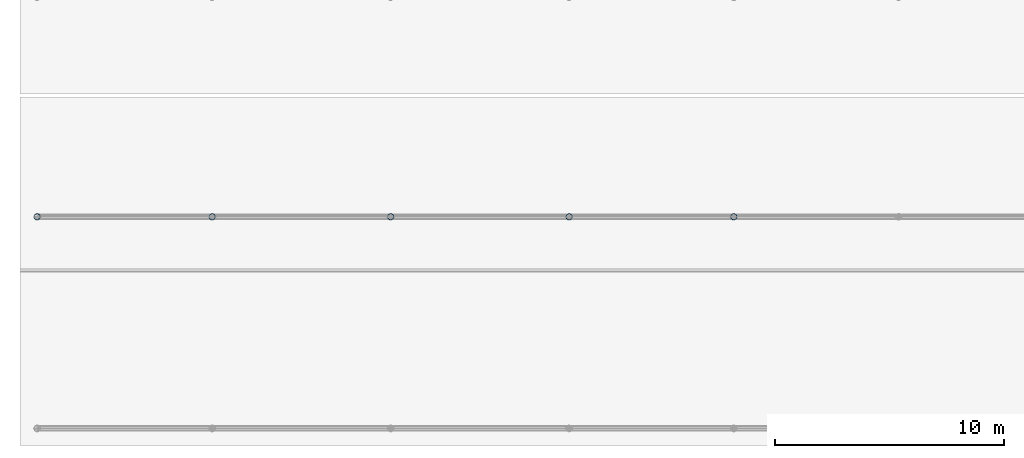
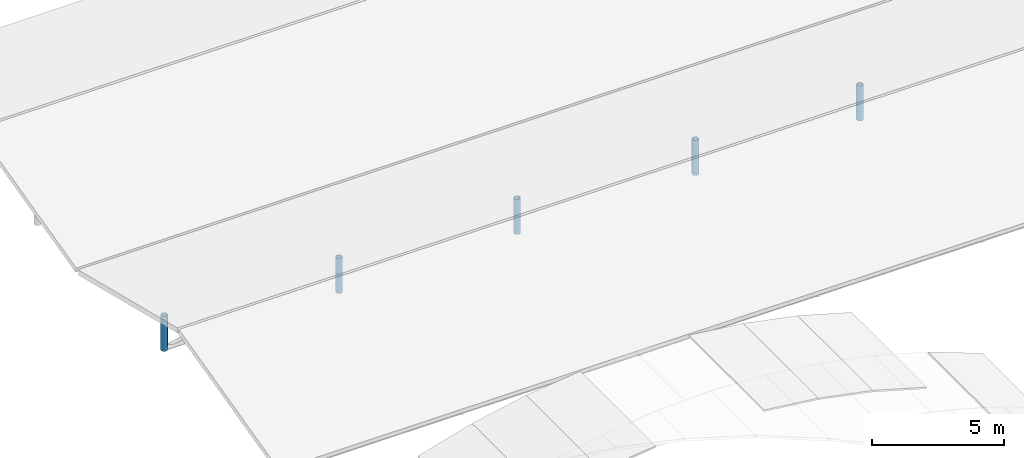
# One storey, part 7 of 91: 5 columns.
"""IFC4 building model written with IfcOpenShell, lengths in metres."""

from ifc_helpers import new_model, si_unit, direction, frame, origin, origin_2d, place, context, subcontext, project, spatial, hollow_circle, extrude, material, material_profile, profile_set, type_object, element, save


model = new_model("IFC4")

# Units and contexts
model_context = context("Model", 3, precision=1e-05, world=origin(), true_north=direction((0.0, 1.0)))
body_context = subcontext(model_context, "Body", "Model", "MODEL_VIEW")
ifc_project = project(units=[si_unit("LENGTHUNIT", "METRE"), si_unit("AREAUNIT", "SQUARE_METRE"), si_unit("VOLUMEUNIT", "CUBIC_METRE"), si_unit("PLANEANGLEUNIT", "RADIAN"), si_unit("MASSUNIT", "GRAM", prefix="KILO")], contexts=[model_context])

# Site, building, storey
site_placement = place(None, origin())
site = spatial("IfcSite", under=ifc_project, at=site_placement, CompositionType="ELEMENT")
building_placement = place(site_placement, origin())
building = spatial("IfcBuilding", under=site, at=building_placement, Name="Valcora Specialist Clinic", CompositionType="ELEMENT")
storey_placement = place(building_placement, frame((0.0, 0.0, 13.60009765625)))
storey = spatial("IfcBuildingStorey", under=building, at=storey_placement, Name="L03", CompositionType="ELEMENT", Elevation=13.60009765625)

# Columns
ifc_material = material(Name="Steel ASTM A500 Grade C", Category="steel")
ifc_material_profile = material_profile(ifc_material, hollow_circle(Radius=0.136474609375, WallThickness=0.011962890625, at=origin_2d()), Name="ST-CHS-273X12")
ifc_profile_set = profile_set([ifc_material_profile], Name="Steel ASTM A500 Grade C")
column_type = type_object("IfcColumnType", Name="TY-COL-CHS273", PredefinedType="COLUMN", material=ifc_profile_set)
for number, where, z_axis, x_axis, name in (
    (1, (0.75, 90.199951171875, 0.0), (0.0, 0.0, 1.0), (1.0, 0.0, 0.0), "Folded roof stub post 0.75-90.2"),
    (2, (8.39990234375, 90.199951171875, 0.0), (0.0, 0.0, 1.0), (1.0, 0.0, 0.0), "Folded roof stub post 8.4-90.2"),
    (3, (16.199951171875, 90.199951171875, 0.0), (0.0, 0.0, 1.0), (1.0, 0.0, 0.0), "Folded roof stub post 16.2-90.2"),
    (4, (24.0, 90.199951171875, 0.0), (0.0, 0.0, 1.0), (1.0, 0.0, 0.0), "Folded roof stub post 24.0-90.2"),
    (5, (31.199951171875, 90.199951171875, 0.0), (0.0, 0.0, 1.0), (1.0, 0.0, 0.0), "Folded roof stub post 31.2-90.2"),
):
    element("IfcColumn", number, at=place(storey_placement, frame(where, z_axis=z_axis, x_axis=x_axis)), inside=storey, type_object=column_type, Name=name, PredefinedType="COLUMN", context=body_context, shape_type="SweptSolid", body=[
        extrude(hollow_circle(Radius=0.136474609375, WallThickness=0.011962890625, at=origin_2d()), origin(), (0.0, 0.0, 1.0), 1.618896484375),
    ])

save(model, "model.ifc")
